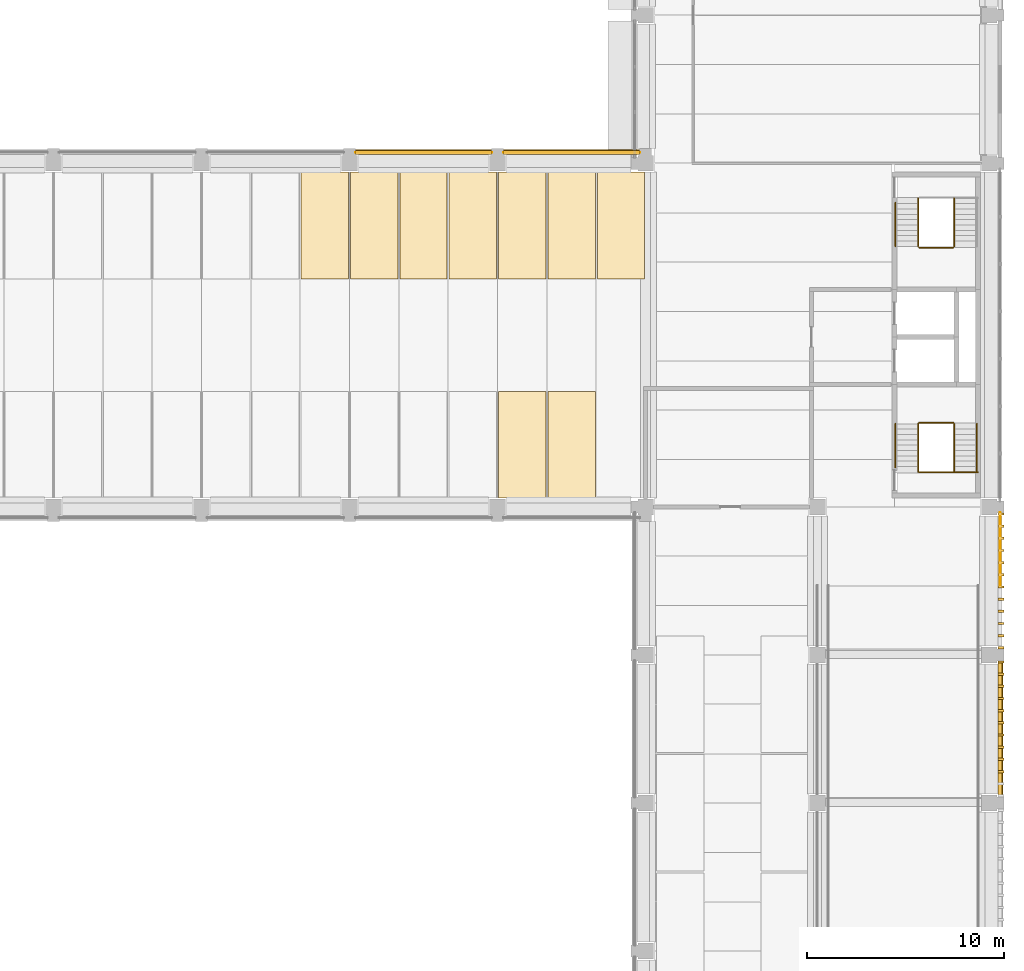
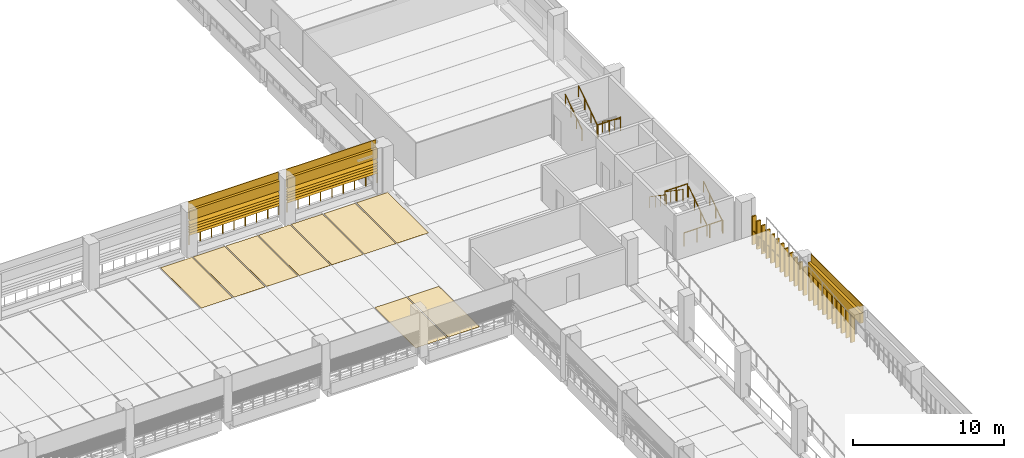
# One storey, part 54 of 61: 34 coverings, 13 railings, 10 shading devices.
"""IFC4 building model written with IfcOpenShell, lengths in metres."""

import ifcopenshell
import ifcopenshell.guid

model = None  # the IFC model being written
_history = None  # IfcOwnerHistory: only IFC2X3 demands one
_inside = {}  # id of a spatial element -> (the spatial element, [elements in it])
_under = {}  # id of a project, library or spatial element -> (it, [spatial elements below it])
_declared = {}  # id of a project -> (the project, [libraries it declares])
_typed = {}  # id of a type object -> (the type object, [elements of that type])
_made_of = {}  # id of a material, layer set ... -> (it, [elements and type objects made of it])


def new_model(schema):
    """Start an empty IFC model of exactly this schema.

    Asked for "IFC4X3", IfcOpenShell would pick the latest addendum, in which some entities
    have other attributes; the version numbers below select the first issue.
    IFC2X3 requires an IfcOwnerHistory on every rooted entity: one is made here for all.
    """
    global model, _history
    if schema == "IFC4X3":
        model = ifcopenshell.file(schema_version=(4, 3, 0, 0))
    else:
        model = ifcopenshell.file(schema=schema)
    _inside.clear()
    _under.clear()
    _declared.clear()
    _typed.clear()
    _made_of.clear()
    _history = None
    if model.schema == "IFC2X3":
        org = make("IfcOrganization", Name="unknown")
        user = make(
            "IfcPersonAndOrganization",
            ThePerson=make("IfcPerson", FamilyName="unknown"),
            TheOrganization=org,
        )
        app = make(
            "IfcApplication",
            ApplicationDeveloper=org,
            Version="unknown",
            ApplicationFullName="unknown",
            ApplicationIdentifier="unknown",
        )
        _history = make(
            "IfcOwnerHistory",
            OwningUser=user,
            OwningApplication=app,
            ChangeAction="ADDED",
            CreationDate=0,
        )
    return model


def make(cls, **values):
    """One entity of the class cls with the attributes given. An attribute that is None is left unset."""
    return model.create_entity(
        cls, **{name: value for name, value in values.items() if value is not None}
    )


def rooted(cls, **values):
    """An entity with a GlobalId (a new one), such as an element, a storey or a relation."""
    return make(cls, GlobalId=ifcopenshell.guid.new(), OwnerHistory=_history, **values)


def si_unit(unit_type, name, prefix=None):
    """IfcSIUnit, for example si_unit("LENGTHUNIT", "METRE", prefix="MILLI")."""
    return make("IfcSIUnit", UnitType=unit_type, Prefix=prefix, Name=name)


def assignment(units):
    """IfcUnitAssignment: the units of a project."""
    return None if units is None else make("IfcUnitAssignment", Units=units)


def point(xyz):
    """IfcCartesianPoint."""
    return None if xyz is None else make("IfcCartesianPoint", Coordinates=xyz)


def direction(xyz):
    """IfcDirection."""
    return None if xyz is None else make("IfcDirection", DirectionRatios=xyz)


def frame(location, z_axis=None, x_axis=None):
    """IfcAxis2Placement3D, a coordinate frame: its origin and axes. An axis left out is left unset."""
    return make(
        "IfcAxis2Placement3D",
        Location=point(location),
        Axis=direction(z_axis),
        RefDirection=direction(x_axis),
    )


def frame_2d(location, x_axis=None):
    """IfcAxis2Placement2D, a coordinate frame in the plane: its origin and x axis."""
    return make(
        "IfcAxis2Placement2D", Location=point(location), RefDirection=direction(x_axis)
    )


def origin():
    """The frame at (0, 0, 0) with its axes left unset."""
    return frame((0.0, 0.0, 0.0))


def origin_2d():
    """The frame at (0, 0) in the plane with its x axis left unset."""
    return frame_2d((0.0, 0.0))


def place(relative_to, where):
    """IfcLocalPlacement: puts the frame where relative to a parent placement (None: the world)."""
    return make(
        "IfcLocalPlacement", PlacementRelTo=relative_to, RelativePlacement=where
    )


def context(
    kind, dimensions, precision=None, world=None, true_north=None, identifier=None
):
    """IfcGeometricRepresentationContext, for example the 3D "Model" context."""
    return make(
        "IfcGeometricRepresentationContext",
        ContextIdentifier=identifier,
        ContextType=kind,
        CoordinateSpaceDimension=dimensions,
        Precision=precision,
        WorldCoordinateSystem=world,
        TrueNorth=true_north,
    )


def subcontext(parent, identifier, kind, view, scale=None):
    """IfcGeometricRepresentationSubContext, for example "Body" below "Model"."""
    return make(
        "IfcGeometricRepresentationSubContext",
        ContextIdentifier=identifier,
        ContextType=kind,
        ParentContext=parent,
        TargetScale=scale,
        TargetView=view,
    )


def project(units=None, contexts=None):
    """IfcProject with its units and contexts."""
    return rooted(
        "IfcProject",
        Name="project",
        RepresentationContexts=contexts,
        UnitsInContext=assignment(units),
    )


def spatial(cls, under=None, at=None, **own):
    """A site, building, storey or space (cls), placed at a placement, below another one or the project."""
    s = rooted(cls, ObjectPlacement=at, **own)
    if under is not None:
        _under.setdefault(under.id(), (under, []))[1].append(s)
    return s


def polyline(points):
    """IfcPolyline through the points."""
    return make("IfcPolyline", Points=[point(p) for p in points])


def profile(cls, at=None, kind="AREA", **sizes):
    """A parametric profile (cls). Its sizes go by their IFC names, for example OverallWidth=200.0."""
    return make(cls, ProfileType=kind, Position=at, **sizes)


def circle(**sizes):
    """IfcCircleProfileDef."""
    return profile("IfcCircleProfileDef", **sizes)


def outline(outer, holes=None, kind="AREA"):
    """IfcArbitraryClosedProfileDef: a profile drawn as a closed curve; with holes, ...WithVoids."""
    if holes is None:
        return make("IfcArbitraryClosedProfileDef", ProfileType=kind, OuterCurve=outer)
    return make(
        "IfcArbitraryProfileDefWithVoids",
        ProfileType=kind,
        OuterCurve=outer,
        InnerCurves=holes,
    )


def extrude(swept, where, along, depth):
    """IfcExtrudedAreaSolid: the profile swept, set in the frame where, extruded along a direction by depth."""
    return make(
        "IfcExtrudedAreaSolid",
        SweptArea=swept,
        Position=where,
        ExtrudedDirection=direction(along),
        Depth=depth,
    )


def shape(context_of_items, identifier, shape_type, items):
    """IfcShapeRepresentation: the items that make up one representation, for example the "Body"."""
    return make(
        "IfcShapeRepresentation",
        ContextOfItems=context_of_items,
        RepresentationIdentifier=identifier,
        RepresentationType=shape_type,
        Items=items,
    )


def material(Name=None, Category=None):
    """IfcMaterial."""
    return make("IfcMaterial", Name=Name, Category=Category)


def layer(
    of_material, thickness, ventilated=None, Name=None, Category=None, Priority=None
):
    """IfcMaterialLayer: one layer of a wall or slab, of a material (None: an air gap)."""
    return make(
        "IfcMaterialLayer",
        Material=of_material,
        LayerThickness=thickness,
        IsVentilated=ventilated,
        Name=Name,
        Category=Category,
        Priority=Priority,
    )


def layer_set(layers, Name=None):
    """IfcMaterialLayerSet."""
    return make("IfcMaterialLayerSet", MaterialLayers=layers, LayerSetName=Name)


def made_of(thing, what):
    """Note that an element or type object is made of a material, layer set ...; save() writes the relation."""
    if what is not None:
        _made_of.setdefault(what.id(), (what, []))[1].append(thing)
    return thing


def type_object(cls, material=None, **own):
    """A type object (cls), such as IfcWallType, which elements share."""
    return made_of(rooted(cls, **own), material)


def element(
    cls,
    number,
    at=None,
    inside=None,
    cuts=None,
    type_object=None,
    material=None,
    context=None,
    identifier="Body",
    shape_type=None,
    held_by="IfcProductDefinitionShape",
    body=None,
    shapes=None,
    **own,
):
    """One element of the class cls, such as IfcWall. Its Tag is "e" and its number.

    at: its placement. inside: the storey or other place that contains it. cuts: it is an
    opening in that element (IfcRelVoidsElement). A single representation is given by context,
    identifier, shape_type and body (its items); several are given by shapes. held_by: the class
    of the entity that holds the representations. save() writes the other relations.
    """
    e = rooted(cls, Tag="e%d" % number, ObjectPlacement=at, **own)
    if body is not None:
        shapes = [shape(context, identifier, shape_type, body)]
    if shapes is not None:
        e.Representation = make(held_by, Representations=shapes)
    if inside is not None:
        _inside.setdefault(inside.id(), (inside, []))[1].append(e)
    if cuts is not None:
        rooted(
            "IfcRelVoidsElement", RelatingBuildingElement=cuts, RelatedOpeningElement=e
        )
    if type_object is not None:
        _typed.setdefault(type_object.id(), (type_object, []))[1].append(e)
    return made_of(e, material)


def aggregate(whole, parts):
    """IfcRelAggregates: a whole, such as a stair, and the parts it consists of."""
    return rooted("IfcRelAggregates", RelatingObject=whole, RelatedObjects=parts)


def save(model, path):
    """Write the relations noted so far, then the file.

    IfcRelAggregates (storeys below a building ...), IfcRelContainedInSpatialStructure (elements
    in a storey), IfcRelDefinesByType, IfcRelAssociatesMaterial and IfcRelDeclares: one each for
    every whole, place, type object, material and project.
    """
    for whole, parts in _under.values():
        aggregate(whole, parts)
    for where, things in _inside.values():
        rooted(
            "IfcRelContainedInSpatialStructure",
            RelatedElements=things,
            RelatingStructure=where,
        )
    for kind, things in _typed.values():
        rooted("IfcRelDefinesByType", RelatedObjects=things, RelatingType=kind)
    for what, things in _made_of.values():
        rooted("IfcRelAssociatesMaterial", RelatedObjects=things, RelatingMaterial=what)
    for by, libraries in _declared.values():
        rooted("IfcRelDeclares", RelatingContext=by, RelatedDefinitions=libraries)
    model.write(path)


model = new_model("IFC4")

# Units and contexts
model_context = context("Model", 3, precision=1e-05, world=origin(), true_north=direction((0.0, 1.0)))
body_context = subcontext(model_context, "Body", "Model", "MODEL_VIEW")
ifc_project = project(units=[si_unit("LENGTHUNIT", "METRE"), si_unit("AREAUNIT", "SQUARE_METRE"), si_unit("VOLUMEUNIT", "CUBIC_METRE"), si_unit("PLANEANGLEUNIT", "RADIAN"), si_unit("MASSUNIT", "GRAM", prefix="KILO")], contexts=[model_context])

# Site, building, storey
site_placement = place(None, origin())
site = spatial("IfcSite", under=ifc_project, at=site_placement, CompositionType="ELEMENT")
building_placement = place(site_placement, origin())
building = spatial("IfcBuilding", under=site, at=building_placement, Name="Cour d'Honneur Mobility Palace", CompositionType="ELEMENT")
storey_placement = place(building_placement, frame((0.0, 0.0, 11.89990234375)))
storey = spatial("IfcBuildingStorey", under=building, at=storey_placement, Name="L03", CompositionType="ELEMENT", Elevation=11.89990234375)

# Railings
ifc_material_1 = material(Name="Painted steel", Category="steel")
railing_type_1 = type_object("IfcRailingType", Name="Balustrade", PredefinedType="BALUSTRADE", material=ifc_material_1)
railing_1_placement = place(storey_placement, frame((162.85009765625, 41.0, 0.300048828125)))
element("IfcRailing", 1, at=railing_1_placement, inside=storey, type_object=railing_type_1, Name="Balustrade BAL-162", PredefinedType="BALUSTRADE", context=body_context, shape_type="SweptSolid", body=[
    extrude(circle(Radius=0.02392578125, at=origin_2d()), frame((0.0, 0.0, 0.77587890625), z_axis=(0.0, 1.0, 0.0), x_axis=(-1.0, 0.0, 0.0)), (0.0, 0.0, 1.0), 3.699951171875),
    extrude(circle(Radius=0.02099609375, at=origin_2d()), origin(), (0.0, 0.0, 1.0), 0.751953125),
    extrude(circle(Radius=0.02099609375, at=origin_2d()), frame((0.0, 0.739990234375, 0.0)), (0.0, 0.0, 1.0), 0.751953125),
    extrude(circle(Radius=0.02099609375, at=origin_2d()), frame((0.0, 1.47998046875, 0.0)), (0.0, 0.0, 1.0), 0.751953125),
    extrude(circle(Radius=0.02099609375, at=origin_2d()), frame((0.0, 2.219970703125, 0.0)), (0.0, 0.0, 1.0), 0.751953125),
    extrude(circle(Radius=0.02099609375, at=origin_2d()), frame((0.0, 2.9599609375, 0.0)), (0.0, 0.0, 1.0), 0.751953125),
    extrude(circle(Radius=0.02099609375, at=origin_2d()), frame((0.0, 3.699951171875, 0.0)), (0.0, 0.0, 1.0), 0.751953125),
])
for number, where, name in (
    (2, (144.60009765625, 62.949951171875, 0.300048828125), "Balustrade BAL-170"),
    (3, (137.10009765625, 62.949951171875, 0.300048828125), "Balustrade BAL-171"),
):
    element("IfcRailing", number, at=place(storey_placement, frame(where)), inside=storey, type_object=railing_type_1, Name=name, PredefinedType="BALUSTRADE", context=body_context, shape_type="SweptSolid", body=[
        extrude(circle(Radius=0.02392578125, at=origin_2d()), frame((0.0, 0.0, 0.77587890625), z_axis=(-1.0, 0.0, 0.0), x_axis=(0.0, -1.0, 0.0)), (0.0, 0.0, 1.0), 6.900146484375),
        extrude(circle(Radius=0.02099609375, at=origin_2d()), origin(), (0.0, 0.0, 1.0), 0.751953125),
        extrude(circle(Radius=0.02099609375, at=origin_2d()), frame((-0.862548828125, 0.0, 0.0)), (0.0, 0.0, 1.0), 0.751953125),
        extrude(circle(Radius=0.02099609375, at=origin_2d()), frame((-1.72509765625, 0.0, 0.0)), (0.0, 0.0, 1.0), 0.751953125),
        extrude(circle(Radius=0.02099609375, at=origin_2d()), frame((-2.587646484375, 0.0, 0.0)), (0.0, 0.0, 1.0), 0.751953125),
        extrude(circle(Radius=0.02099609375, at=origin_2d()), frame((-3.4501953125, 0.0, 0.0)), (0.0, 0.0, 1.0), 0.751953125),
        extrude(circle(Radius=0.02099609375, at=origin_2d()), frame((-4.3125, 0.0, 0.0)), (0.0, 0.0, 1.0), 0.751953125),
        extrude(circle(Radius=0.02099609375, at=origin_2d()), frame((-5.175048828125, 0.0, 0.0)), (0.0, 0.0, 1.0), 0.751953125),
        extrude(circle(Radius=0.02099609375, at=origin_2d()), frame((-6.03759765625, 0.0, 0.0)), (0.0, 0.0, 1.0), 0.751953125),
        extrude(circle(Radius=0.02099609375, at=origin_2d()), frame((-6.900146484375, 0.0, 0.0)), (0.0, 0.0, 1.0), 0.751953125),
    ])
ifc_material_2 = material(Name="Painted steel", Category="steel")
railing_type_2 = type_object("IfcRailingType", Name="Guardrail 1100", PredefinedType="GUARDRAIL", material=ifc_material_2)
railing_2_placement = place(storey_placement, frame((158.75, 46.7548828125, 0.0)))
element("IfcRailing", 4, at=railing_2_placement, inside=storey, type_object=railing_type_2, Name="Guard ST-CE1", PredefinedType="GUARDRAIL", context=body_context, shape_type="SweptSolid", body=[
    extrude(circle(Radius=0.02490234375, at=origin_2d()), frame((0.0, 0.0, 1.0751953125), z_axis=(1.0, 0.0, 0.0), x_axis=(0.0, 1.0, 0.0)), (0.0, 0.0, 1.0), 2.97509765625),
    extrude(circle(Radius=0.02099609375, at=origin_2d()), origin(), (0.0, 0.0, 1.0), 1.050048828125),
    extrude(circle(Radius=0.02099609375, at=origin_2d()), frame((0.99169921875, 0.0, 0.0)), (0.0, 0.0, 1.0), 1.050048828125),
    extrude(circle(Radius=0.02099609375, at=origin_2d()), frame((1.9833984375, 0.0, 0.0)), (0.0, 0.0, 1.0), 1.050048828125),
    extrude(circle(Radius=0.02099609375, at=origin_2d()), frame((2.97509765625, 0.0, 0.0)), (0.0, 0.0, 1.0), 1.050048828125),
])
for number, where, name in (
    (5, (158.75, 49.264892578125, 1.85009765625), "Landing guard ST-CE1"),
    (6, (158.75, 58.135009765625, 1.85009765625), "Landing guard ST-CE2"),
):
    element("IfcRailing", number, at=place(storey_placement, frame(where)), inside=storey, type_object=railing_type_2, Name=name, PredefinedType="GUARDRAIL", context=body_context, shape_type="SweptSolid", body=[
        extrude(circle(Radius=0.02490234375, at=origin_2d()), frame((0.0, 0.0, 1.0751953125), z_axis=(1.0, 0.0, 0.0), x_axis=(0.0, 1.0, 0.0)), (0.0, 0.0, 1.0), 1.72509765625),
        extrude(circle(Radius=0.02099609375, at=origin_2d()), origin(), (0.0, 0.0, 1.0), 1.050048828125),
        extrude(circle(Radius=0.02099609375, at=origin_2d()), frame((0.862548828125, 0.0, 0.0)), (0.0, 0.0, 1.0), 1.050048828125),
        extrude(circle(Radius=0.02099609375, at=origin_2d()), frame((1.72509765625, 0.0, 0.0)), (0.0, 0.0, 1.0), 1.050048828125),
    ])
ifc_material_3 = material(Name="Stainless steel", Category="steel")
railing_type_3 = type_object("IfcRailingType", Name="Handrail round 50", PredefinedType="HANDRAIL", material=ifc_material_3)
for number, where, name in (
    (7, (161.675048828125, 46.77490234375, 0.18505859375), "Handrail ST-CE1"),
    (8, (160.52490234375, 46.77490234375, 0.18505859375), "Handrail ST-CE1"),
):
    element("IfcRailing", number, at=place(storey_placement, frame(where)), inside=storey, type_object=railing_type_3, Name=name, PredefinedType="HANDRAIL", context=body_context, shape_type="SweptSolid", body=[
        extrude(circle(Radius=0.02490234375, at=origin_2d()), frame((0.0, 0.0, 0.89501953125), z_axis=(0.0, 0.824945253146, 0.565212640793), x_axis=(-1.0, 0.0, 0.0)), (0.0, 0.0, 1.0), 2.94580078125),
        extrude(circle(Radius=0.02099609375, at=origin_2d()), origin(), (0.0, 0.0, 1.0), 0.869873046875),
        extrude(circle(Radius=0.02099609375, at=origin_2d()), frame((0.0, 0.81005859375, 0.554931640625)), (0.0, 0.0, 1.0), 0.869873046875),
        extrude(circle(Radius=0.02099609375, at=origin_2d()), frame((0.0, 1.6201171875, 1.110107421875)), (0.0, 0.0, 1.0), 0.869873046875),
        extrude(circle(Radius=0.02099609375, at=origin_2d()), frame((0.0, 2.43017578125, 1.6650390625)), (0.0, 0.0, 1.0), 0.869873046875),
    ])
railing_3_placement = place(storey_placement, frame((158.699951171875, 49.205078125, 2.03515625)))
element("IfcRailing", 9, at=railing_3_placement, inside=storey, type_object=railing_type_3, Name="Handrail ST-CE1", PredefinedType="HANDRAIL", context=body_context, shape_type="SweptSolid", body=[
    extrude(circle(Radius=0.02490234375, at=origin_2d()), frame((0.0, 0.0, 0.89501953125), z_axis=(0.0, -0.824945253146, 0.565212640793), x_axis=(1.0, 0.0, 0.0)), (0.0, 0.0, 1.0), 2.94580078125),
    extrude(circle(Radius=0.02099609375, at=origin_2d()), origin(), (0.0, 0.0, 1.0), 0.869873046875),
    extrude(circle(Radius=0.02099609375, at=origin_2d()), frame((0.0, -0.81005859375, 0.554931640625)), (0.0, 0.0, 1.0), 0.869873046875),
    extrude(circle(Radius=0.02099609375, at=origin_2d()), frame((0.0, -1.6201171875, 1.110107421875)), (0.0, 0.0, 1.0), 0.869873046875),
    extrude(circle(Radius=0.02099609375, at=origin_2d()), frame((0.0, -2.43017578125, 1.6650390625)), (0.0, 0.0, 1.0), 0.869873046875),
])
railing_4_placement = place(storey_placement, frame((157.550048828125, 49.205078125, 2.03515625)))
element("IfcRailing", 10, at=railing_4_placement, inside=storey, type_object=railing_type_3, Name="Handrail ST-CE1", PredefinedType="HANDRAIL", context=body_context, shape_type="SweptSolid", body=[
    extrude(circle(Radius=0.02490234375, at=origin_2d()), frame((0.0, 0.0, 0.89501953125), z_axis=(0.0, -0.824957609129, 0.565194606432), x_axis=(1.0, 0.0, 0.0)), (0.0, 0.0, 1.0), 2.6728515625),
    extrude(circle(Radius=0.02099609375, at=origin_2d()), origin(), (0.0, 0.0, 1.0), 0.869873046875),
    extrude(circle(Radius=0.02099609375, at=origin_2d()), frame((0.0, -0.735107421875, 0.503662109375)), (0.0, 0.0, 1.0), 0.869873046875),
    extrude(circle(Radius=0.02099609375, at=origin_2d()), frame((0.0, -1.469970703125, 1.007080078125)), (0.0, 0.0, 1.0), 0.869873046875),
    extrude(circle(Radius=0.02099609375, at=origin_2d()), frame((0.0, -2.205078125, 1.5107421875)), (0.0, 0.0, 1.0), 0.869873046875),
])
railing_5_placement = place(storey_placement, frame((160.52490234375, 60.625, 0.18505859375)))
element("IfcRailing", 11, at=railing_5_placement, inside=storey, type_object=railing_type_3, Name="Handrail ST-CE2", PredefinedType="HANDRAIL", context=body_context, shape_type="SweptSolid", body=[
    extrude(circle(Radius=0.02490234375, at=origin_2d()), frame((0.0, 0.0, 0.89501953125), z_axis=(0.0, -0.8249187745, 0.56525128525), x_axis=(1.0, 0.0, 0.0)), (0.0, 0.0, 1.0), 2.945556640625),
    extrude(circle(Radius=0.02099609375, at=origin_2d()), origin(), (0.0, 0.0, 1.0), 0.869873046875),
    extrude(circle(Radius=0.02099609375, at=origin_2d()), frame((0.0, -0.81005859375, 0.554931640625)), (0.0, 0.0, 1.0), 0.869873046875),
    extrude(circle(Radius=0.02099609375, at=origin_2d()), frame((0.0, -1.619873046875, 1.110107421875)), (0.0, 0.0, 1.0), 0.869873046875),
    extrude(circle(Radius=0.02099609375, at=origin_2d()), frame((0.0, -2.429931640625, 1.6650390625)), (0.0, 0.0, 1.0), 0.869873046875),
])
railing_6_placement = place(storey_placement, frame((158.699951171875, 58.195068359375, 2.03515625)))
element("IfcRailing", 12, at=railing_6_placement, inside=storey, type_object=railing_type_3, Name="Handrail ST-CE2", PredefinedType="HANDRAIL", context=body_context, shape_type="SweptSolid", body=[
    extrude(circle(Radius=0.02490234375, at=origin_2d()), frame((0.0, 0.0, 0.89501953125), z_axis=(0.0, 0.8249187745, 0.56525128525), x_axis=(-1.0, 0.0, 0.0)), (0.0, 0.0, 1.0), 2.945556640625),
    extrude(circle(Radius=0.02099609375, at=origin_2d()), origin(), (0.0, 0.0, 1.0), 0.869873046875),
    extrude(circle(Radius=0.02099609375, at=origin_2d()), frame((0.0, 0.81005859375, 0.554931640625)), (0.0, 0.0, 1.0), 0.869873046875),
    extrude(circle(Radius=0.02099609375, at=origin_2d()), frame((0.0, 1.619873046875, 1.110107421875)), (0.0, 0.0, 1.0), 0.869873046875),
    extrude(circle(Radius=0.02099609375, at=origin_2d()), frame((0.0, 2.429931640625, 1.6650390625)), (0.0, 0.0, 1.0), 0.869873046875),
])
railing_7_placement = place(storey_placement, frame((157.550048828125, 58.195068359375, 2.03515625)))
element("IfcRailing", 13, at=railing_7_placement, inside=storey, type_object=railing_type_3, Name="Handrail ST-CE2", PredefinedType="HANDRAIL", context=body_context, shape_type="SweptSolid", body=[
    extrude(circle(Radius=0.02490234375, at=origin_2d()), frame((0.0, 0.0, 0.89501953125), z_axis=(0.0, 0.824928428624, 0.565237195917), x_axis=(-1.0, 0.0, 0.0)), (0.0, 0.0, 1.0), 2.6728515625),
    extrude(circle(Radius=0.02099609375, at=origin_2d()), origin(), (0.0, 0.0, 1.0), 0.869873046875),
    extrude(circle(Radius=0.02099609375, at=origin_2d()), frame((0.0, 0.73486328125, 0.503662109375)), (0.0, 0.0, 1.0), 0.869873046875),
    extrude(circle(Radius=0.02099609375, at=origin_2d()), frame((0.0, 1.469970703125, 1.007080078125)), (0.0, 0.0, 1.0), 0.869873046875),
    extrude(circle(Radius=0.02099609375, at=origin_2d()), frame((0.0, 2.204833984375, 1.5107421875)), (0.0, 0.0, 1.0), 0.869873046875),
])

# Coverings
ifc_material_4 = material(Name="Parking marking paint")
ifc_layer_1 = layer(ifc_material_4, 0.0048828125)
ifc_layer_set_1 = layer_set([ifc_layer_1], Name="Parking marking paint")
covering_type_1 = type_object("IfcCoveringType", Name="Parking bay marking", PredefinedType="FLOORING", material=ifc_layer_set_1)
covering_1_placement = place(storey_placement, origin())
element("IfcCovering", 14, at=covering_1_placement, inside=storey, type_object=covering_type_1, Name="Parking bay marking L03 28", PredefinedType="FLOORING", context=body_context, shape_type="SweptSolid", body=[
    extrude(outline(polyline([(129.85009765625, 56.550048828125), (127.449951171875, 56.550048828125), (127.449951171875, 61.949951171875), (129.85009765625, 61.949951171875), (129.85009765625, 56.550048828125)])), origin(), (0.0, 0.0, 1.0), 0.005126953125),
])
covering_2_placement = place(storey_placement, origin())
element("IfcCovering", 15, at=covering_2_placement, inside=storey, type_object=covering_type_1, Name="Parking bay marking L03 29", PredefinedType="FLOORING", context=body_context, shape_type="SweptSolid", body=[
    extrude(outline(polyline([(132.35009765625, 56.550048828125), (129.949951171875, 56.550048828125), (129.949951171875, 61.949951171875), (132.35009765625, 61.949951171875), (132.35009765625, 56.550048828125)])), origin(), (0.0, 0.0, 1.0), 0.005126953125),
])
covering_3_placement = place(storey_placement, origin())
element("IfcCovering", 16, at=covering_3_placement, inside=storey, type_object=covering_type_1, Name="Parking bay marking L03 30", PredefinedType="FLOORING", context=body_context, shape_type="SweptSolid", body=[
    extrude(outline(polyline([(134.85009765625, 56.550048828125), (132.449951171875, 56.550048828125), (132.449951171875, 61.949951171875), (134.85009765625, 61.949951171875), (134.85009765625, 56.550048828125)])), origin(), (0.0, 0.0, 1.0), 0.005126953125),
])
covering_4_placement = place(storey_placement, origin())
element("IfcCovering", 17, at=covering_4_placement, inside=storey, type_object=covering_type_1, Name="Parking bay marking L03 31", PredefinedType="FLOORING", context=body_context, shape_type="SweptSolid", body=[
    extrude(outline(polyline([(137.35009765625, 56.550048828125), (134.949951171875, 56.550048828125), (134.949951171875, 61.949951171875), (137.35009765625, 61.949951171875), (137.35009765625, 56.550048828125)])), origin(), (0.0, 0.0, 1.0), 0.005126953125),
])
covering_5_placement = place(storey_placement, origin())
element("IfcCovering", 18, at=covering_5_placement, inside=storey, type_object=covering_type_1, Name="Parking bay marking L03 32", PredefinedType="FLOORING", context=body_context, shape_type="SweptSolid", body=[
    extrude(outline(polyline([(139.85009765625, 56.550048828125), (137.449951171875, 56.550048828125), (137.449951171875, 61.949951171875), (139.85009765625, 61.949951171875), (139.85009765625, 56.550048828125)])), origin(), (0.0, 0.0, 1.0), 0.005126953125),
])
covering_6_placement = place(storey_placement, origin())
element("IfcCovering", 19, at=covering_6_placement, inside=storey, type_object=covering_type_1, Name="Parking bay marking L03 34", PredefinedType="FLOORING", context=body_context, shape_type="SweptSolid", body=[
    extrude(outline(polyline([(142.35009765625, 56.550048828125), (139.949951171875, 56.550048828125), (139.949951171875, 61.949951171875), (142.35009765625, 61.949951171875), (142.35009765625, 56.550048828125)])), origin(), (0.0, 0.0, 1.0), 0.005126953125),
])
covering_7_placement = place(storey_placement, origin())
element("IfcCovering", 20, at=covering_7_placement, inside=storey, type_object=covering_type_1, Name="Parking bay marking L03 35", PredefinedType="FLOORING", context=body_context, shape_type="SweptSolid", body=[
    extrude(outline(polyline([(144.85009765625, 56.550048828125), (142.449951171875, 56.550048828125), (142.449951171875, 61.949951171875), (144.85009765625, 61.949951171875), (144.85009765625, 56.550048828125)])), origin(), (0.0, 0.0, 1.0), 0.005126953125),
])
covering_8_placement = place(storey_placement, origin())
element("IfcCovering", 21, at=covering_8_placement, inside=storey, type_object=covering_type_1, Name="Parking bay marking L03 71", PredefinedType="FLOORING", context=body_context, shape_type="SweptSolid", body=[
    extrude(outline(polyline([(139.85009765625, 45.449951171875), (137.449951171875, 45.449951171875), (137.449951171875, 50.85009765625), (139.85009765625, 50.85009765625), (139.85009765625, 45.449951171875)])), origin(), (0.0, 0.0, 1.0), 0.005126953125),
])
covering_9_placement = place(storey_placement, origin())
element("IfcCovering", 22, at=covering_9_placement, inside=storey, type_object=covering_type_1, Name="Parking bay marking L03 73", PredefinedType="FLOORING", context=body_context, shape_type="SweptSolid", body=[
    extrude(outline(polyline([(142.35009765625, 45.449951171875), (139.949951171875, 45.449951171875), (139.949951171875, 50.85009765625), (142.35009765625, 50.85009765625), (142.35009765625, 45.449951171875)])), origin(), (0.0, 0.0, 1.0), 0.005126953125),
])
ifc_material_5 = material(Name="Cast limestone", Category="masonry")
ifc_layer_2 = layer(ifc_material_5, 0.1201171875)
ifc_layer_set_2 = layer_set([ifc_layer_2], Name="Cast limestone")
covering_type_2 = type_object("IfcCoveringType", Name="Ramp screen fin", PredefinedType="CLADDING", material=ifc_layer_set_2)
covering_10_placement = place(storey_placement, origin())
element("IfcCovering", 23, at=covering_10_placement, inside=storey, type_object=covering_type_2, Name="Ramp screen fin E5.4 L03 3", PredefinedType="CLADDING", context=body_context, shape_type="SweptSolid", body=[
    extrude(outline(polyline([(162.75, 31.53271484375), (162.75, 31.65283203125), (163.050048828125, 31.65283203125), (163.050048828125, 31.53271484375), (162.75, 31.53271484375)])), origin(), (0.0, 0.0, 1.0), 2.300048828125),
])
covering_11_placement = place(storey_placement, origin())
element("IfcCovering", 24, at=covering_11_placement, inside=storey, type_object=covering_type_2, Name="Ramp screen fin E5.4 L03 4", PredefinedType="CLADDING", context=body_context, shape_type="SweptSolid", body=[
    extrude(outline(polyline([(162.75, 32.149169921875), (162.75, 32.26904296875), (163.050048828125, 32.26904296875), (163.050048828125, 32.149169921875), (162.75, 32.149169921875)])), origin(), (0.0, 0.0, 1.0), 2.300048828125),
])
covering_12_placement = place(storey_placement, origin())
element("IfcCovering", 25, at=covering_12_placement, inside=storey, type_object=covering_type_2, Name="Ramp screen fin E5.4 L03 5", PredefinedType="CLADDING", context=body_context, shape_type="SweptSolid", body=[
    extrude(outline(polyline([(162.75, 32.765380859375), (162.75, 32.885498046875), (163.050048828125, 32.885498046875), (163.050048828125, 32.765380859375), (162.75, 32.765380859375)])), origin(), (0.0, 0.0, 1.0), 2.300048828125),
])
covering_13_placement = place(storey_placement, origin())
element("IfcCovering", 26, at=covering_13_placement, inside=storey, type_object=covering_type_2, Name="Ramp screen fin E5.4 L03 6", PredefinedType="CLADDING", context=body_context, shape_type="SweptSolid", body=[
    extrude(outline(polyline([(162.75, 33.3818359375), (162.75, 33.501708984375), (163.050048828125, 33.501708984375), (163.050048828125, 33.3818359375), (162.75, 33.3818359375)])), origin(), (0.0, 0.0, 1.0), 2.300048828125),
])
covering_14_placement = place(storey_placement, origin())
element("IfcCovering", 27, at=covering_14_placement, inside=storey, type_object=covering_type_2, Name="Ramp screen fin E5.4 L03 7", PredefinedType="CLADDING", context=body_context, shape_type="SweptSolid", body=[
    extrude(outline(polyline([(162.75, 33.998291015625), (162.75, 34.1181640625), (163.050048828125, 34.1181640625), (163.050048828125, 33.998291015625), (162.75, 33.998291015625)])), origin(), (0.0, 0.0, 1.0), 2.300048828125),
])
covering_15_placement = place(storey_placement, origin())
element("IfcCovering", 28, at=covering_15_placement, inside=storey, type_object=covering_type_2, Name="Ramp screen fin E5.4 L03 8", PredefinedType="CLADDING", context=body_context, shape_type="SweptSolid", body=[
    extrude(outline(polyline([(162.75, 34.614501953125), (162.75, 34.734619140625), (163.050048828125, 34.734619140625), (163.050048828125, 34.614501953125), (162.75, 34.614501953125)])), origin(), (0.0, 0.0, 1.0), 2.300048828125),
])
covering_16_placement = place(storey_placement, origin())
element("IfcCovering", 29, at=covering_16_placement, inside=storey, type_object=covering_type_2, Name="Ramp screen fin E5.4 L03 9", PredefinedType="CLADDING", context=body_context, shape_type="SweptSolid", body=[
    extrude(outline(polyline([(162.75, 35.23095703125), (162.75, 35.350830078125), (163.050048828125, 35.350830078125), (163.050048828125, 35.23095703125), (162.75, 35.23095703125)])), origin(), (0.0, 0.0, 1.0), 2.300048828125),
])
covering_17_placement = place(storey_placement, origin())
element("IfcCovering", 30, at=covering_17_placement, inside=storey, type_object=covering_type_2, Name="Ramp screen fin E5.4 L03 10", PredefinedType="CLADDING", context=body_context, shape_type="SweptSolid", body=[
    extrude(outline(polyline([(162.75, 35.84716796875), (162.75, 35.96728515625), (163.050048828125, 35.96728515625), (163.050048828125, 35.84716796875), (162.75, 35.84716796875)])), origin(), (0.0, 0.0, 1.0), 2.300048828125),
])
covering_18_placement = place(storey_placement, origin())
element("IfcCovering", 31, at=covering_18_placement, inside=storey, type_object=covering_type_2, Name="Ramp screen fin E5.4 L03 11", PredefinedType="CLADDING", context=body_context, shape_type="SweptSolid", body=[
    extrude(outline(polyline([(162.75, 36.463623046875), (162.75, 36.583740234375), (163.050048828125, 36.583740234375), (163.050048828125, 36.463623046875), (162.75, 36.463623046875)])), origin(), (0.0, 0.0, 1.0), 2.300048828125),
])
covering_19_placement = place(storey_placement, origin())
element("IfcCovering", 32, at=covering_19_placement, inside=storey, type_object=covering_type_2, Name="Ramp screen fin E5.4 L03 12", PredefinedType="CLADDING", context=body_context, shape_type="SweptSolid", body=[
    extrude(outline(polyline([(162.75, 37.080078125), (162.75, 37.199951171875), (163.050048828125, 37.199951171875), (163.050048828125, 37.080078125), (162.75, 37.080078125)])), origin(), (0.0, 0.0, 1.0), 2.300048828125),
])
covering_20_placement = place(storey_placement, origin())
element("IfcCovering", 33, at=covering_20_placement, inside=storey, type_object=covering_type_2, Name="Ramp screen fin E5.5 L03 1", PredefinedType="CLADDING", context=body_context, shape_type="SweptSolid", body=[
    extrude(outline(polyline([(162.75, 37.800048828125), (162.75, 37.919921875), (163.050048828125, 37.919921875), (163.050048828125, 37.800048828125), (162.75, 37.800048828125)])), origin(), (0.0, 0.0, 1.0), 2.300048828125),
])
covering_21_placement = place(storey_placement, origin())
element("IfcCovering", 34, at=covering_21_placement, inside=storey, type_object=covering_type_2, Name="Ramp screen fin E5.5 L03 2", PredefinedType="CLADDING", context=body_context, shape_type="SweptSolid", body=[
    extrude(outline(polyline([(162.75, 38.416259765625), (162.75, 38.536376953125), (163.050048828125, 38.536376953125), (163.050048828125, 38.416259765625), (162.75, 38.416259765625)])), origin(), (0.0, 0.0, 1.0), 2.300048828125),
])
covering_22_placement = place(storey_placement, origin())
element("IfcCovering", 35, at=covering_22_placement, inside=storey, type_object=covering_type_2, Name="Ramp screen fin E5.5 L03 3", PredefinedType="CLADDING", context=body_context, shape_type="SweptSolid", body=[
    extrude(outline(polyline([(162.75, 39.03271484375), (162.75, 39.15283203125), (163.050048828125, 39.15283203125), (163.050048828125, 39.03271484375), (162.75, 39.03271484375)])), origin(), (0.0, 0.0, 1.0), 2.300048828125),
])
covering_23_placement = place(storey_placement, origin())
element("IfcCovering", 36, at=covering_23_placement, inside=storey, type_object=covering_type_2, Name="Ramp screen fin E5.5 L03 4", PredefinedType="CLADDING", context=body_context, shape_type="SweptSolid", body=[
    extrude(outline(polyline([(162.75, 39.649169921875), (162.75, 39.76904296875), (163.050048828125, 39.76904296875), (163.050048828125, 39.649169921875), (162.75, 39.649169921875)])), origin(), (0.0, 0.0, 1.0), 2.300048828125),
])
covering_24_placement = place(storey_placement, origin())
element("IfcCovering", 37, at=covering_24_placement, inside=storey, type_object=covering_type_2, Name="Ramp screen fin E5.5 L03 5", PredefinedType="CLADDING", context=body_context, shape_type="SweptSolid", body=[
    extrude(outline(polyline([(162.75, 40.265380859375), (162.75, 40.385498046875), (163.050048828125, 40.385498046875), (163.050048828125, 40.265380859375), (162.75, 40.265380859375)])), origin(), (0.0, 0.0, 1.0), 2.300048828125),
])
covering_25_placement = place(storey_placement, origin())
element("IfcCovering", 38, at=covering_25_placement, inside=storey, type_object=covering_type_2, Name="Ramp screen fin E5.5 L03 6", PredefinedType="CLADDING", context=body_context, shape_type="SweptSolid", body=[
    extrude(outline(polyline([(162.75, 40.8818359375), (162.75, 41.001708984375), (163.050048828125, 41.001708984375), (163.050048828125, 40.8818359375), (162.75, 40.8818359375)])), origin(), (0.0, 0.0, 1.0), 2.300048828125),
])
covering_26_placement = place(storey_placement, origin())
element("IfcCovering", 39, at=covering_26_placement, inside=storey, type_object=covering_type_2, Name="Ramp screen fin E5.5 L03 7", PredefinedType="CLADDING", context=body_context, shape_type="SweptSolid", body=[
    extrude(outline(polyline([(162.75, 41.498291015625), (162.75, 41.6181640625), (163.050048828125, 41.6181640625), (163.050048828125, 41.498291015625), (162.75, 41.498291015625)])), origin(), (0.0, 0.0, 1.0), 2.300048828125),
])
covering_27_placement = place(storey_placement, origin())
element("IfcCovering", 40, at=covering_27_placement, inside=storey, type_object=covering_type_2, Name="Ramp screen fin E5.5 L03 8", PredefinedType="CLADDING", context=body_context, shape_type="SweptSolid", body=[
    extrude(outline(polyline([(162.75, 42.114501953125), (162.75, 42.234619140625), (163.050048828125, 42.234619140625), (163.050048828125, 42.114501953125), (162.75, 42.114501953125)])), origin(), (0.0, 0.0, 1.0), 2.300048828125),
])
covering_28_placement = place(storey_placement, origin())
element("IfcCovering", 41, at=covering_28_placement, inside=storey, type_object=covering_type_2, Name="Ramp screen fin E5.5 L03 9", PredefinedType="CLADDING", context=body_context, shape_type="SweptSolid", body=[
    extrude(outline(polyline([(162.75, 42.73095703125), (162.75, 42.850830078125), (163.050048828125, 42.850830078125), (163.050048828125, 42.73095703125), (162.75, 42.73095703125)])), origin(), (0.0, 0.0, 1.0), 2.300048828125),
])
covering_29_placement = place(storey_placement, origin())
element("IfcCovering", 42, at=covering_29_placement, inside=storey, type_object=covering_type_2, Name="Ramp screen fin E5.5 L03 10", PredefinedType="CLADDING", context=body_context, shape_type="SweptSolid", body=[
    extrude(outline(polyline([(162.75, 43.34716796875), (162.75, 43.46728515625), (163.050048828125, 43.46728515625), (163.050048828125, 43.34716796875), (162.75, 43.34716796875)])), origin(), (0.0, 0.0, 1.0), 2.300048828125),
])
covering_30_placement = place(storey_placement, origin())
element("IfcCovering", 43, at=covering_30_placement, inside=storey, type_object=covering_type_2, Name="Ramp screen fin E5.5 L03 11", PredefinedType="CLADDING", context=body_context, shape_type="SweptSolid", body=[
    extrude(outline(polyline([(162.75, 43.963623046875), (162.75, 44.083740234375), (163.050048828125, 44.083740234375), (163.050048828125, 43.963623046875), (162.75, 43.963623046875)])), origin(), (0.0, 0.0, 1.0), 2.300048828125),
])
covering_31_placement = place(storey_placement, origin())
element("IfcCovering", 44, at=covering_31_placement, inside=storey, type_object=covering_type_2, Name="Ramp screen fin E5.5 L03 12", PredefinedType="CLADDING", context=body_context, shape_type="SweptSolid", body=[
    extrude(outline(polyline([(162.75, 44.580078125), (162.75, 44.699951171875), (163.050048828125, 44.699951171875), (163.050048828125, 44.580078125), (162.75, 44.580078125)])), origin(), (0.0, 0.0, 1.0), 2.300048828125),
])
ifc_material_6 = material(Name="Cast limestone", Category="masonry")
ifc_layer_3 = layer(ifc_material_6, 0.25)
ifc_layer_set_3 = layer_set([ifc_layer_3], Name="Cast limestone")
covering_type_3 = type_object("IfcCoveringType", Name="Spandrel cladding", PredefinedType="CLADDING", material=ifc_layer_set_3)
for number, where, z_axis, x_axis, name in (
    (45, (162.75, 30.300048828125, 2.300048828125), (0.0, -1.0, 0.0), (1.0, 0.0, 0.0), "Spandrel cladding SK-232"),
    (46, (144.60009765625, 62.85009765625, 2.300048828125), (1.0, 0.0, 0.0), (0.0, 1.0, 0.0), "Spandrel cladding SK-245"),
    (47, (137.10009765625, 62.85009765625, 2.300048828125), (1.0, 0.0, 0.0), (0.0, 1.0, 0.0), "Spandrel cladding SK-246"),
):
    element("IfcCovering", number, at=place(storey_placement, frame(where, z_axis=z_axis, x_axis=x_axis)), inside=storey, type_object=covering_type_3, Name=name, PredefinedType="CLADDING", context=body_context, shape_type="SweptSolid", body=[
        extrude(outline(polyline([(0.0, 0.0), (0.25, 0.0), (0.25, 1.400146484375), (0.199951171875, 1.400146484375), (0.199951171875, 0.800048828125), (0.0, 0.800048828125), (0.0, 0.0)])), origin(), (0.0, 0.0, -1.0), 6.89990234375),
    ])

# Shading devices
ifc_material_7 = material(Name="Terracotta", Category="masonry")
ifc_layer_4 = layer(ifc_material_7, 0.02490234375)
ifc_layer_set_4 = layer_set([ifc_layer_4], Name="Terracotta")
shading_device_type = type_object("IfcShadingDeviceType", Name="Terracotta louvre blade", PredefinedType="JALOUSIE", material=ifc_layer_set_4)
for number, where, z_axis, x_axis, name in (
    (48, (144.60009765625, 62.843994140625, 1.10009765625), (0.0, -0.707106781187, 0.707106781187), (-1.0, 0.0, 0.0), "Louvre blade LV-1 N8.0 L03 1"),
    (49, (144.60009765625, 62.843994140625, 1.312255859375), (0.0, -0.707106781187, 0.707106781187), (-1.0, 0.0, 0.0), "Louvre blade LV-1 N8.0 L03 2"),
    (50, (144.60009765625, 62.843994140625, 1.5244140625), (0.0, -0.707106781187, 0.707106781187), (-1.0, 0.0, 0.0), "Louvre blade LV-1 N8.0 L03 3"),
    (51, (144.60009765625, 62.843994140625, 1.736572265625), (0.0, -0.707106781187, 0.707106781187), (-1.0, 0.0, 0.0), "Louvre blade LV-1 N8.0 L03 4"),
):
    element("IfcShadingDevice", number, at=place(storey_placement, frame(where, z_axis=z_axis, x_axis=x_axis)), inside=storey, type_object=shading_device_type, Name=name, PredefinedType="JALOUSIE", context=body_context, shape_type="SweptSolid", body=[
        extrude(outline(polyline([(0.0, 0.0), (6.900146484375, 0.0), (6.900146484375, -0.300037008228081), (0.0, -0.300037008228081), (0.0, 0.0)])), origin(), (0.0, 0.0, -1.0), 0.02490234375),
    ])
shading_device_1_placement = place(storey_placement, frame((144.60009765625, 62.843994140625, 1.94873046875), z_axis=(0.0, -0.706699578995, 0.707513749017), x_axis=(-1.0, 0.0, 0.0)))
element("IfcShadingDevice", 52, at=shading_device_1_placement, inside=storey, type_object=shading_device_type, Name="Louvre blade LV-1 N8.0 L03 5", PredefinedType="JALOUSIE", context=body_context, shape_type="SweptSolid", body=[
    extrude(outline(polyline([(0.0, 0.0), (6.900146484375, 0.0), (6.900146484375, -0.29986442442957895), (0.0, -0.29986442442957895), (0.0, 0.0)])), origin(), (0.0, 0.0, -1.0), 0.02490234375),
])
for number, where, z_axis, x_axis, name in (
    (53, (137.10009765625, 62.843994140625, 1.10009765625), (0.0, -0.707106781187, 0.707106781187), (-1.0, 0.0, 0.0), "Louvre blade LV-1 N8.1 L03 1"),
    (54, (137.10009765625, 62.843994140625, 1.312255859375), (0.0, -0.707106781187, 0.707106781187), (-1.0, 0.0, 0.0), "Louvre blade LV-1 N8.1 L03 2"),
    (55, (137.10009765625, 62.843994140625, 1.5244140625), (0.0, -0.707106781187, 0.707106781187), (-1.0, 0.0, 0.0), "Louvre blade LV-1 N8.1 L03 3"),
    (56, (137.10009765625, 62.843994140625, 1.736572265625), (0.0, -0.707106781187, 0.707106781187), (-1.0, 0.0, 0.0), "Louvre blade LV-1 N8.1 L03 4"),
):
    element("IfcShadingDevice", number, at=place(storey_placement, frame(where, z_axis=z_axis, x_axis=x_axis)), inside=storey, type_object=shading_device_type, Name=name, PredefinedType="JALOUSIE", context=body_context, shape_type="SweptSolid", body=[
        extrude(outline(polyline([(0.0, 0.0), (6.900146484375, 0.0), (6.900146484375, -0.300037008228081), (0.0, -0.300037008228081), (0.0, 0.0)])), origin(), (0.0, 0.0, -1.0), 0.02490234375),
    ])
shading_device_2_placement = place(storey_placement, frame((137.10009765625, 62.843994140625, 1.94873046875), z_axis=(0.0, -0.706699578995, 0.707513749017), x_axis=(-1.0, 0.0, 0.0)))
element("IfcShadingDevice", 57, at=shading_device_2_placement, inside=storey, type_object=shading_device_type, Name="Louvre blade LV-1 N8.1 L03 5", PredefinedType="JALOUSIE", context=body_context, shape_type="SweptSolid", body=[
    extrude(outline(polyline([(0.0, 0.0), (6.900146484375, 0.0), (6.900146484375, -0.29986442442957895), (0.0, -0.29986442442957895), (0.0, 0.0)])), origin(), (0.0, 0.0, -1.0), 0.02490234375),
])

save(model, "model.ifc")
